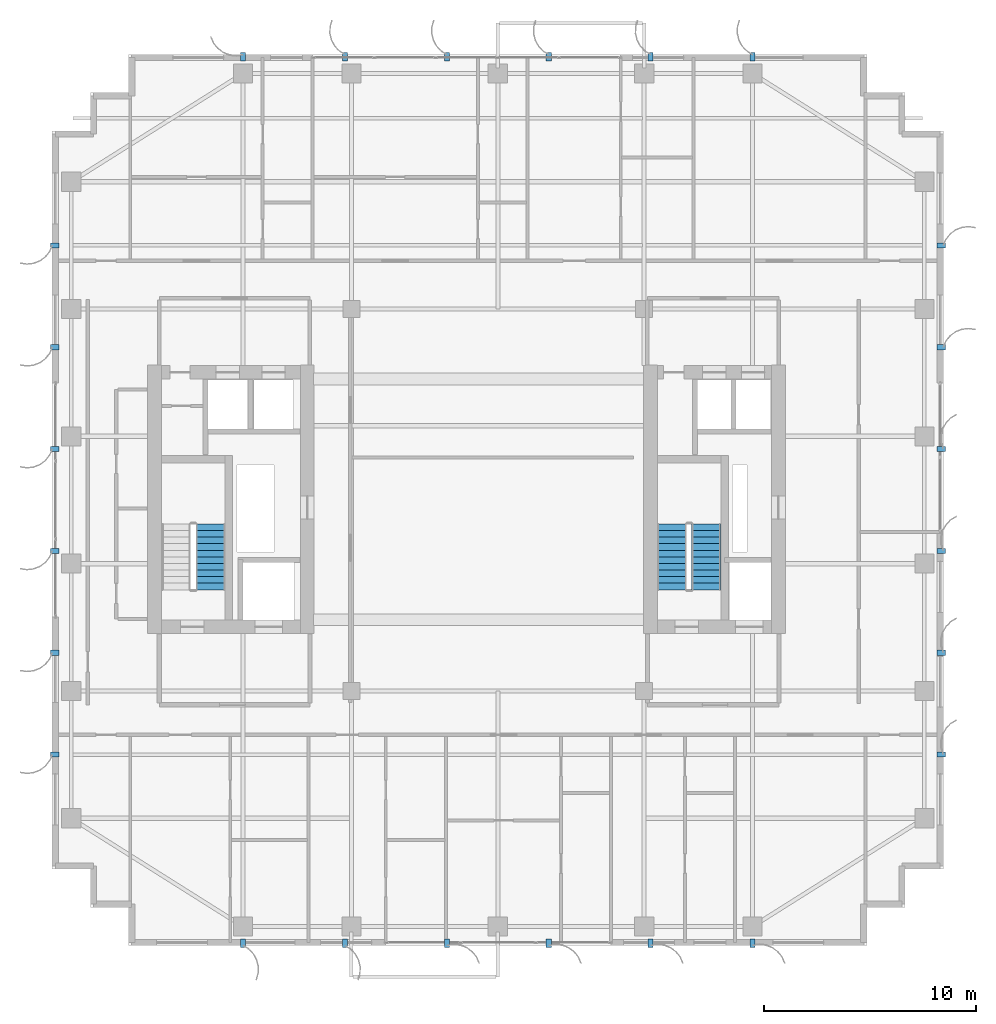
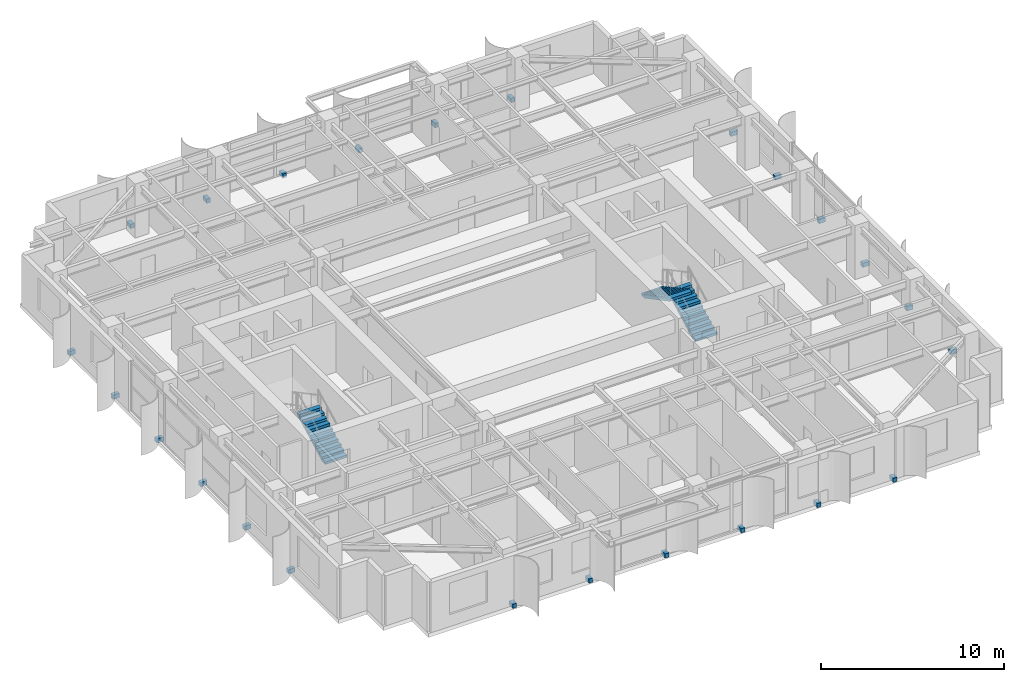
# One storey, part 20 of 23: 24 discrete accessories, 3 stair flights, 2 elements without a shape of their own.
"""IFC4 building model written with IfcOpenShell, lengths in metres."""

from ifc_helpers import new_model, si_unit, direction, frame, origin, origin_2d, place, context, subcontext, project, spatial, polyline, rectangle, outline, extrude, source, transform, mapped, material, type_object, element, aggregate, save


model = new_model("IFC4")

# Units and contexts
model_context = context("Model", 3, precision=1e-05, world=origin(), true_north=direction((0.0, 1.0)))
body_context = subcontext(model_context, "Body", "Model", "MODEL_VIEW")
ifc_project = project(units=[si_unit("LENGTHUNIT", "METRE"), si_unit("AREAUNIT", "SQUARE_METRE"), si_unit("VOLUMEUNIT", "CUBIC_METRE"), si_unit("PLANEANGLEUNIT", "RADIAN"), si_unit("MASSUNIT", "GRAM", prefix="KILO")], contexts=[model_context])

# Site, building, storey
site_placement = place(None, origin())
site = spatial("IfcSite", under=ifc_project, at=site_placement, CompositionType="ELEMENT")
building_placement = place(site_placement, origin())
building = spatial("IfcBuilding", under=site, at=building_placement, Name="Khoralis Quay Care Tower", CompositionType="ELEMENT")
storey_placement = place(building_placement, frame((0.0, 0.0, 173.699951171875)))
storey = spatial("IfcBuildingStorey", under=building, at=storey_placement, Name="L45", CompositionType="ELEMENT", Elevation=173.699951171875)

# Stair, stair flight
ifc_material_1 = material(Name="Precast concrete C45/55", Category="concrete")
stair_type = type_object("IfcStairType", Name="ST-TWR-DOGLEG-1400", PredefinedType="HALF_TURN_STAIR", material=ifc_material_1)
stair_1_placement = place(storey_placement, origin())
stair_1 = element("IfcStair", 1, at=stair_1_placement, inside=storey, type_object=stair_type, Name="L45 West Core Exit Stair ST-T1", PredefinedType="HALF_TURN_STAIR")
stair_flight_type = type_object("IfcStairFlightType", Name="SF-TWR-1400", PredefinedType="STRAIGHT", material=ifc_material_1)
shared_shape_1 = source(origin(), body_context, "Body", "SweptSolid", [
    extrude(outline(polyline([(0.0, 0.0), (0.0, 0.16357421875), (0.31005859375, 0.16357421875), (0.31005859375, 0.327392578125), (0.6201171875, 0.327392578125), (0.6201171875, 0.490966796875), (0.929931640625, 0.490966796875), (0.929931640625, 0.654541015625), (1.239990234375, 0.654541015625), (1.239990234375, 0.818115234375), (1.550048828125, 0.818115234375), (1.550048828125, 0.98193359375), (1.860107421875, 0.98193359375), (1.860107421875, 1.1455078125), (2.169921875, 1.1455078125), (2.169921875, 1.30908203125), (2.47998046875, 1.30908203125), (2.47998046875, 1.47265625), (2.7900390625, 1.47265625), (2.7900390625, 1.636474609375), (3.10009765625, 1.636474609375), (3.10009765625, 1.800048828125), (3.10009765625, 1.466796875), (0.321044921875, 0.0), (0.0, 0.0)])), frame((0.0, 0.68994140625, 0.0), z_axis=(0.0, -1.0, 0.0), x_axis=(1.0, 0.0, 0.0)), (0.0, 0.0, 1.0), 1.3798828125),
])
stair_flight_1_placement = place(storey_placement, frame((10.4599609375, 16.77001953125, 0.0), z_axis=(0.0, 0.0, 1.0), x_axis=(0.0, 1.0, 0.0)))
stair_flight_1 = element("IfcStairFlight", 2, at=stair_flight_1_placement, type_object=stair_flight_type, Name="ST-T1 flight 1", NumberOfRisers=11, NumberOfTreads=10, PredefinedType="STRAIGHT", RiserHeight=0.163636364, TreadLength=0.31, context=body_context, shape_type="MappedRepresentation", body=[
    mapped(shared_shape_1, transform((0.0, 0.0, 0.0), scale=1.0)),
])
aggregate(stair_1, [stair_flight_1])

# Stair, stair flights
stair_2_placement = place(storey_placement, origin())
stair_2 = element("IfcStair", 3, at=stair_2_placement, inside=storey, type_object=stair_type, Name="L45 East Core Exit Stair ST-T2", PredefinedType="HALF_TURN_STAIR")
stair_flight_2_placement = place(storey_placement, frame((33.830078125, 16.77001953125, 0.0), z_axis=(0.0, 0.0, 1.0), x_axis=(0.0, 1.0, 0.0)))
stair_flight_2 = element("IfcStairFlight", 4, at=stair_flight_2_placement, type_object=stair_flight_type, Name="ST-T2 flight 1", NumberOfRisers=11, NumberOfTreads=10, PredefinedType="STRAIGHT", RiserHeight=0.163636364, TreadLength=0.31, context=body_context, shape_type="MappedRepresentation", body=[
    mapped(shared_shape_1, transform((0.0, 0.0, 0.0), scale=1.0)),
])
stair_flight_3_placement = place(storey_placement, frame((32.2099609375, 19.8701171875, 1.800048828125), z_axis=(0.0, 0.0, 1.0), x_axis=(0.0, -1.0, 0.0)))
stair_flight_3 = element("IfcStairFlight", 5, at=stair_flight_3_placement, type_object=stair_flight_type, Name="ST-T2 flight 2", NumberOfRisers=11, NumberOfTreads=10, PredefinedType="STRAIGHT", RiserHeight=0.163636364, TreadLength=0.31, context=body_context, shape_type="MappedRepresentation", body=[
    mapped(shared_shape_1, transform((0.0, 0.0, 0.0), scale=1.0)),
])
aggregate(stair_2, [stair_flight_2, stair_flight_3])

# Discrete accessories
ifc_material_2 = material(Name="Brushed stainless steel", Category="steel")
discrete_accessory_type = type_object("IfcDiscreteAccessoryType", Name="ACC-FIN-BRACKET", PredefinedType="BRACKET", material=ifc_material_2)
shared_shape_2 = source(origin(), body_context, "Body", "SweptSolid", [
    extrude(rectangle(XDim=0.39990234375, YDim=0.239990234375, at=origin_2d()), origin(), (0.0, 0.0, 1.0), 0.280029296875),
])
for number, where, z_axis, x_axis, name in (
    (6, (12.0, 0.110107421875, -0.1201171875), (0.0, 0.0, 1.0), (0.0, -1.0, 0.0), "L45 Solar Fin Bracket P1E0-01"),
    (7, (16.800048828125, 0.110107421875, -0.1201171875), (0.0, 0.0, 1.0), (0.0, -1.0, 0.0), "L45 Solar Fin Bracket P1E0-02"),
    (8, (21.60009765625, 0.110107421875, -0.1201171875), (0.0, 0.0, 1.0), (0.0, -1.0, 0.0), "L45 Solar Fin Bracket P1E0-03"),
    (9, (26.39990234375, 0.110107421875, -0.1201171875), (0.0, 0.0, 1.0), (0.0, -1.0, 0.0), "L45 Solar Fin Bracket P1E0-04"),
    (10, (31.199951171875, 0.110107421875, -0.1201171875), (0.0, 0.0, 1.0), (0.0, -1.0, 0.0), "L45 Solar Fin Bracket P1E0-05"),
    (11, (36.0, 0.110107421875, -0.1201171875), (0.0, 0.0, 1.0), (0.0, -1.0, 0.0), "L45 Solar Fin Bracket P1E0-06"),
    (12, (44.889892578125, 9.0, -0.1201171875), (0.0, 0.0, 1.0), (1.0, 0.0, 0.0), "L45 Solar Fin Bracket P1E5-01"),
    (13, (44.889892578125, 13.800048828125, -0.1201171875), (0.0, 0.0, 1.0), (1.0, 0.0, 0.0), "L45 Solar Fin Bracket P1E5-02"),
    (14, (44.889892578125, 18.60009765625, -0.1201171875), (0.0, 0.0, 1.0), (1.0, 0.0, 0.0), "L45 Solar Fin Bracket P1E5-03"),
    (15, (44.889892578125, 23.39990234375, -0.1201171875), (0.0, 0.0, 1.0), (1.0, 0.0, 0.0), "L45 Solar Fin Bracket P1E5-04"),
    (16, (44.889892578125, 28.199951171875, -0.1201171875), (0.0, 0.0, 1.0), (1.0, 0.0, 0.0), "L45 Solar Fin Bracket P1E5-05"),
    (17, (44.889892578125, 33.0, -0.1201171875), (0.0, 0.0, 1.0), (1.0, 0.0, 0.0), "L45 Solar Fin Bracket P1E5-06"),
    (18, (36.0, 41.889892578125, -0.1201171875), (0.0, 0.0, 1.0), (0.0, 1.0, 0.0), "L45 Solar Fin Bracket P1E10-01"),
    (19, (31.199951171875, 41.889892578125, -0.1201171875), (0.0, 0.0, 1.0), (0.0, 1.0, 0.0), "L45 Solar Fin Bracket P1E10-02"),
    (20, (26.39990234375, 41.889892578125, -0.1201171875), (0.0, 0.0, 1.0), (0.0, 1.0, 0.0), "L45 Solar Fin Bracket P1E10-03"),
    (21, (21.60009765625, 41.889892578125, -0.1201171875), (0.0, 0.0, 1.0), (0.0, 1.0, 0.0), "L45 Solar Fin Bracket P1E10-04"),
    (22, (16.800048828125, 41.889892578125, -0.1201171875), (0.0, 0.0, 1.0), (0.0, 1.0, 0.0), "L45 Solar Fin Bracket P1E10-05"),
    (23, (12.0, 41.889892578125, -0.1201171875), (0.0, 0.0, 1.0), (0.0, 1.0, 0.0), "L45 Solar Fin Bracket P1E10-06"),
    (24, (3.110107421875, 33.0, -0.1201171875), (0.0, 0.0, 1.0), (-1.0, 0.0, 0.0), "L45 Solar Fin Bracket P1E15-01"),
    (25, (3.110107421875, 28.199951171875, -0.1201171875), (0.0, 0.0, 1.0), (-1.0, 0.0, 0.0), "L45 Solar Fin Bracket P1E15-02"),
    (26, (3.110107421875, 23.39990234375, -0.1201171875), (0.0, 0.0, 1.0), (-1.0, 0.0, 0.0), "L45 Solar Fin Bracket P1E15-03"),
    (27, (3.110107421875, 18.60009765625, -0.1201171875), (0.0, 0.0, 1.0), (-1.0, 0.0, 0.0), "L45 Solar Fin Bracket P1E15-04"),
    (28, (3.110107421875, 13.800048828125, -0.1201171875), (0.0, 0.0, 1.0), (-1.0, 0.0, 0.0), "L45 Solar Fin Bracket P1E15-05"),
    (29, (3.110107421875, 9.0, -0.1201171875), (0.0, 0.0, 1.0), (-1.0, 0.0, 0.0), "L45 Solar Fin Bracket P1E15-06"),
):
    element("IfcDiscreteAccessory", number, at=place(storey_placement, frame(where, z_axis=z_axis, x_axis=x_axis)), inside=storey, type_object=discrete_accessory_type, Name=name, PredefinedType="BRACKET", context=body_context, shape_type="MappedRepresentation", body=[
        mapped(shared_shape_2, transform((0.0, 0.0, 0.0), scale=1.0)),
    ])

save(model, "model.ifc")
